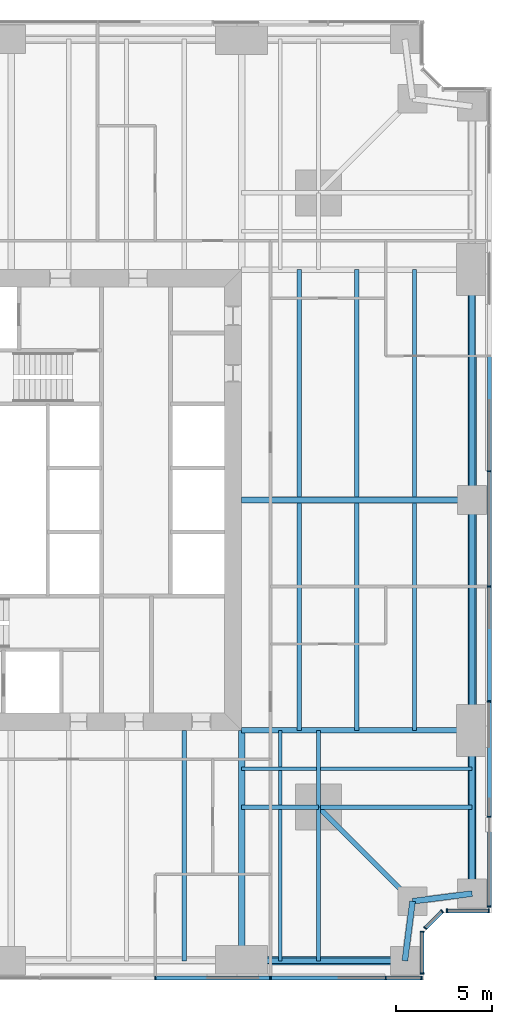
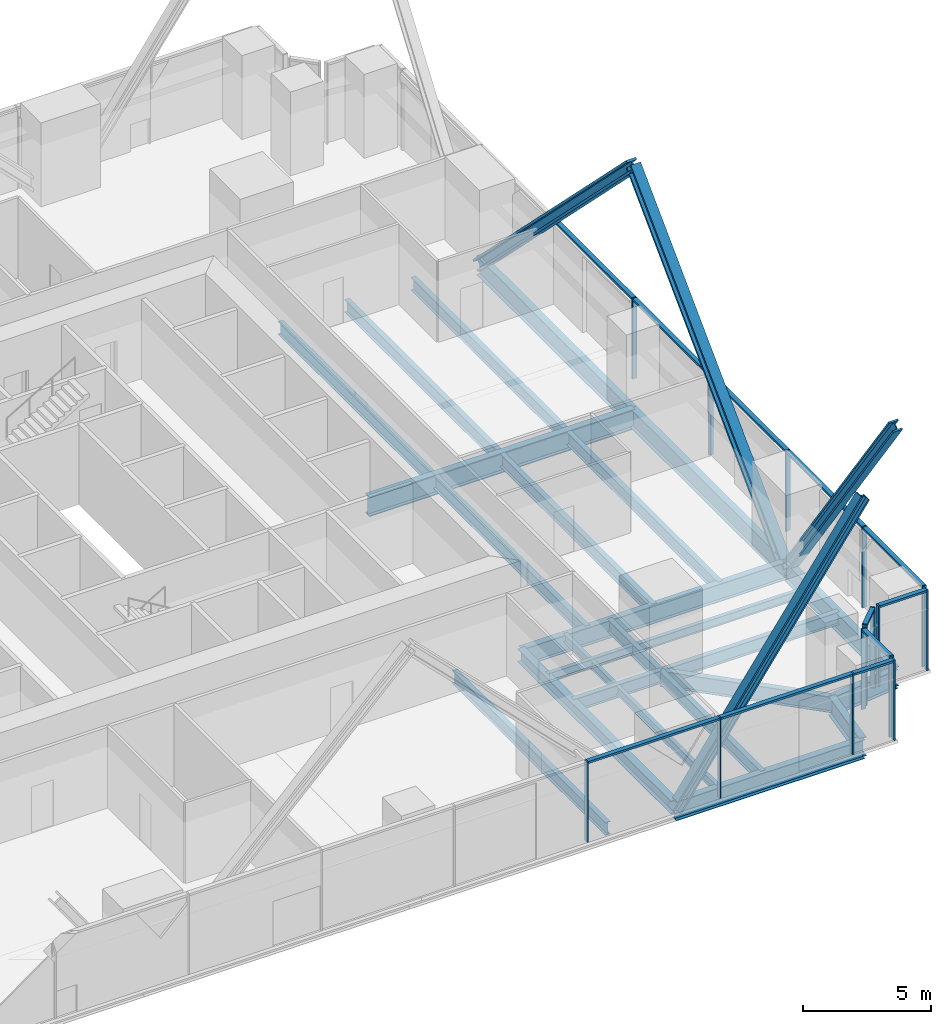
# One storey, part 5 of 13: 30 members, 26 beams, 5 elements without a shape of their own.
"""IFC4 building model written with IfcOpenShell, lengths in metres."""

from ifc_helpers import new_model, si_unit, direction, frame, origin, origin_2d, place, context, subcontext, project, spatial, rectangle, i_section, extrude, material, material_profile, profile_set, type_object, element, aggregate, save


model = new_model("IFC4")

# Units and contexts
model_context = context("Model", 3, precision=1e-05, world=origin(), true_north=direction((0.0, 1.0)))
body_context = subcontext(model_context, "Body", "Model", "MODEL_VIEW")
ifc_project = project(units=[si_unit("LENGTHUNIT", "METRE"), si_unit("AREAUNIT", "SQUARE_METRE"), si_unit("VOLUMEUNIT", "CUBIC_METRE"), si_unit("PLANEANGLEUNIT", "RADIAN"), si_unit("MASSUNIT", "GRAM", prefix="KILO")], contexts=[model_context])

# Site, building, storey
site_placement = place(None, origin())
site = spatial("IfcSite", under=ifc_project, at=site_placement, CompositionType="ELEMENT")
building_placement = place(site_placement, origin())
building = spatial("IfcBuilding", under=site, at=building_placement, Name="Fenwick Lantern Interchange", CompositionType="ELEMENT")
storey_placement = place(building_placement, frame((0.0, 0.0, 55.0)))
storey = spatial("IfcBuildingStorey", under=building, at=storey_placement, Name="L12", CompositionType="ELEMENT", Elevation=55.0)

# Beams
ifc_material_1 = material(Name="Steel ASTM A992 Grade 50", Category="steel")
ifc_material_profile_1 = material_profile(ifc_material_1, i_section(OverallWidth=0.3046875, OverallDepth=0.911865234375, WebThickness=0.015869140625, FlangeThickness=0.02392578125, at=origin_2d()), Name="W36X150")
ifc_profile_set_1 = profile_set([ifc_material_profile_1], Name="Steel ASTM A992 Grade 50")
beam_type_1 = type_object("IfcBeamType", Name="EDGE BEAM W36X150", PredefinedType="SPANDREL", material=ifc_profile_set_1)
beam_1_placement = place(storey_placement, frame((37.0, 1.0, -0.60595703125), z_axis=(1.0, 0.0, 0.0), x_axis=(0.0, 1.0, 0.0)))
element("IfcBeam", 1, at=beam_1_placement, inside=storey, type_object=beam_type_1, Name="L12/FR/S/EB4", PredefinedType="SPANDREL", context=body_context, shape_type="SweptSolid", body=[
    extrude(i_section(OverallWidth=0.3046875, OverallDepth=0.911865234375, WebThickness=0.015869140625, FlangeThickness=0.02392578125, at=origin_2d()), origin(), (0.0, 0.0, 1.0), 8.5),
])
for number, where, z_axis, x_axis, name in (
    (2, (45.5, 1.0, -0.60595703125), (0.127936641807, 0.991782342897, 0.0), (-0.991782342897, 0.127936641807, 0.0), "L12/FR/S/EBR1"),
    (3, (45.89990234375, 4.10009765625, -0.60595703125), (0.991782342897, 0.127936641807, 0.0), (-0.127936641807, 0.991782342897, 0.0), "L12/FR/S/EBR2"),
):
    element("IfcBeam", number, at=place(storey_placement, frame(where, z_axis=z_axis, x_axis=x_axis)), inside=storey, type_object=beam_type_1, Name=name, PredefinedType="SPANDREL", context=body_context, shape_type="SweptSolid", body=[
        extrude(i_section(OverallWidth=0.3046875, OverallDepth=0.911865234375, WebThickness=0.015869140625, FlangeThickness=0.02392578125, at=origin_2d()), origin(), (0.0, 0.0, 1.0), 3.125732421875),
    ])
beam_2_placement = place(storey_placement, frame((49.0, 4.5, -0.60595703125), z_axis=(0.0, 1.0, 0.0), x_axis=(-1.0, 0.0, 0.0)))
element("IfcBeam", 4, at=beam_2_placement, inside=storey, type_object=beam_type_1, Name="L12/FR/E/EB1", PredefinedType="SPANDREL", context=body_context, shape_type="SweptSolid", body=[
    extrude(i_section(OverallWidth=0.3046875, OverallDepth=0.911865234375, WebThickness=0.015869140625, FlangeThickness=0.02392578125, at=origin_2d()), origin(), (0.0, 0.0, 1.0), 8.5),
])
for number, where, z_axis, x_axis, name in (
    (5, (49.0, 13.0, -0.60595703125), (0.0, 1.0, 0.0), (-1.0, 0.0, 0.0), "L12/FR/E/EB2"),
    (6, (49.0, 25.0, -0.60595703125), (0.0, 1.0, 0.0), (-1.0, 0.0, 0.0), "L12/FR/E/EB3"),
):
    element("IfcBeam", number, at=place(storey_placement, frame(where, z_axis=z_axis, x_axis=x_axis)), inside=storey, type_object=beam_type_1, Name=name, PredefinedType="SPANDREL", context=body_context, shape_type="SweptSolid", body=[
        extrude(i_section(OverallWidth=0.3046875, OverallDepth=0.911865234375, WebThickness=0.015869140625, FlangeThickness=0.02392578125, at=origin_2d()), origin(), (0.0, 0.0, 1.0), 12.0),
    ])

# Members
ifc_material_profile_2 = material_profile(ifc_material_1, i_section(OverallWidth=0.424072265625, OverallDepth=0.47509765625, WebThickness=0.0478515625, FlangeThickness=0.0771484375, at=origin_2d()), Name="W14X426")
ifc_profile_set_2 = profile_set([ifc_material_profile_2], Name="Steel ASTM A992 Grade 50")
member_type_1 = type_object("IfcMemberType", Name="FACADE BRACE W14X426", PredefinedType="BRACE", material=ifc_profile_set_2)
for number, where, z_axis, x_axis, name in (
    (7, (37.0, 1.0, -0.60595703125), (0.57801734078, 0.0, 0.816024481102), (0.0, 1.0, 0.0), "L12/FB/S/BE"),
    (8, (49.0, 13.0, -0.60595703125), (0.0, -0.57801734078, 0.816024481102), (1.0, 0.0, 0.0), "L12/FB/E/AE"),
):
    element("IfcMember", number, at=place(storey_placement, frame(where, z_axis=z_axis, x_axis=x_axis)), inside=storey, type_object=member_type_1, Name=name, PredefinedType="BRACE", context=body_context, shape_type="SweptSolid", body=[
        extrude(i_section(OverallWidth=0.424072265625, OverallDepth=0.47509765625, WebThickness=0.0478515625, FlangeThickness=0.0771484375, at=origin_2d()), origin(), (0.0, 0.0, 1.0), 14.705322265625),
    ])
ifc_material_profile_3 = material_profile(ifc_material_1, i_section(OverallWidth=0.44189453125, OverallDepth=0.53076171875, WebThickness=0.06591796875, FlangeThickness=0.105712890625, at=origin_2d()), Name="W14X605")
ifc_profile_set_3 = profile_set([ifc_material_profile_3], Name="Steel ASTM A992 Grade 50")
member_type_2 = type_object("IfcMemberType", Name="FACADE BRACE W14X605", PredefinedType="BRACE", material=ifc_profile_set_3)
for number, where, z_axis, x_axis, name in (
    (9, (49.0, 13.0, -0.60595703125), (0.0, 0.707106781187, 0.707106781187), (-1.0, 0.0, 0.0), "L12/FB/E/A"),
    (10, (49.0, 37.0, -0.60595703125), (0.0, -0.707106781187, 0.707106781187), (1.0, 0.0, 0.0), "L12/FB/E/B"),
):
    element("IfcMember", number, at=place(storey_placement, frame(where, z_axis=z_axis, x_axis=x_axis)), inside=storey, type_object=member_type_2, Name=name, PredefinedType="BRACE", context=body_context, shape_type="SweptSolid", body=[
        extrude(i_section(OverallWidth=0.44189453125, OverallDepth=0.53076171875, WebThickness=0.06591796875, FlangeThickness=0.105712890625, at=origin_2d()), origin(), (0.0, 0.0, 1.0), 16.970458984375),
    ])

# Beams
ifc_material_profile_4 = material_profile(ifc_material_1, i_section(OverallWidth=0.22900390625, OverallDepth=0.612060546875, WebThickness=0.011962890625, FlangeThickness=0.01953125, at=origin_2d()), Name="W24X84")
ifc_profile_set_4 = profile_set([ifc_material_profile_4], Name="Steel ASTM A992 Grade 50")
beam_type_2 = type_object("IfcBeamType", Name="FLOOR BEAM W24X84", PredefinedType="BEAM", material=ifc_profile_set_4)
beam_3_placement = place(storey_placement, frame((34.0, 1.0, -0.4560546875), z_axis=(0.0, 1.0, 0.0), x_axis=(-1.0, 0.0, 0.0)))
element("IfcBeam", 11, at=beam_3_placement, inside=storey, type_object=beam_type_2, Name="L12/FR/S/R08", PredefinedType="BEAM", context=body_context, shape_type="SweptSolid", body=[
    extrude(i_section(OverallWidth=0.22900390625, OverallDepth=0.612060546875, WebThickness=0.011962890625, FlangeThickness=0.01953125, at=origin_2d()), origin(), (0.0, 0.0, 1.0), 12.0),
])
for number, where, z_axis, x_axis, name in (
    (12, (46.0, 13.0, -0.4560546875), (0.0, 1.0, 0.0), (-1.0, 0.0, 0.0), "L12/FR/E/B01"),
    (13, (43.0, 13.0, -0.4560546875), (0.0, 1.0, 0.0), (-1.0, 0.0, 0.0), "L12/FR/E/B02"),
    (14, (40.0, 13.0, -0.4560546875), (0.0, 1.0, 0.0), (-1.0, 0.0, 0.0), "L12/FR/E/B03"),
    (15, (46.0, 25.155029296875, -0.4560546875), (0.0, 1.0, 0.0), (-1.0, 0.0, 0.0), "L12/FR/E/B04"),
    (16, (43.0, 25.155029296875, -0.4560546875), (0.0, 1.0, 0.0), (-1.0, 0.0, 0.0), "L12/FR/E/B05"),
    (17, (40.0, 25.155029296875, -0.4560546875), (0.0, 1.0, 0.0), (-1.0, 0.0, 0.0), "L12/FR/E/B06"),
):
    element("IfcBeam", number, at=place(storey_placement, frame(where, z_axis=z_axis, x_axis=x_axis)), inside=storey, type_object=beam_type_2, Name=name, PredefinedType="BEAM", context=body_context, shape_type="SweptSolid", body=[
        extrude(i_section(OverallWidth=0.22900390625, OverallDepth=0.612060546875, WebThickness=0.011962890625, FlangeThickness=0.01953125, at=origin_2d()), origin(), (0.0, 0.0, 1.0), 11.844970703125),
    ])
ifc_material_profile_5 = material_profile(ifc_material_1, i_section(OverallWidth=0.177734375, OverallDepth=0.406494140625, WebThickness=0.0078125, FlangeThickness=0.012939453125, at=origin_2d()), Name="W16X40")
ifc_profile_set_5 = profile_set([ifc_material_profile_5], Name="Steel ASTM A992 Grade 50")
beam_type_3 = type_object("IfcBeamType", Name="INFILL BEAM W16X40", PredefinedType="JOIST", material=ifc_profile_set_5)
beam_4_placement = place(storey_placement, frame((49.0, 11.0, -0.353271484375), z_axis=(-1.0, 0.0, 0.0), x_axis=(0.0, -1.0, 0.0)))
element("IfcBeam", 18, at=beam_4_placement, inside=storey, type_object=beam_type_3, Name="L12/FR/E/J1", PredefinedType="JOIST", context=body_context, shape_type="SweptSolid", body=[
    extrude(i_section(OverallWidth=0.177734375, OverallDepth=0.406494140625, WebThickness=0.0078125, FlangeThickness=0.012939453125, at=origin_2d()), origin(), (0.0, 0.0, 1.0), 7.885498046875),
])
beam_5_placement = place(storey_placement, frame((40.885498046875, 11.0, -0.353271484375), z_axis=(-1.0, 0.0, 0.0), x_axis=(0.0, -1.0, 0.0)))
element("IfcBeam", 19, at=beam_5_placement, inside=storey, type_object=beam_type_3, Name="L12/FR/E/J2", PredefinedType="JOIST", context=body_context, shape_type="SweptSolid", body=[
    extrude(i_section(OverallWidth=0.177734375, OverallDepth=0.406494140625, WebThickness=0.0078125, FlangeThickness=0.012939453125, at=origin_2d()), origin(), (0.0, 0.0, 1.0), 3.885498046875),
])
beam_6_placement = place(storey_placement, frame((39.0, 1.0, -0.353271484375), z_axis=(0.0, 1.0, 0.0), x_axis=(-1.0, 0.0, 0.0)))
element("IfcBeam", 20, at=beam_6_placement, inside=storey, type_object=beam_type_3, Name="L12/FR/E/J3", PredefinedType="JOIST", context=body_context, shape_type="SweptSolid", body=[
    extrude(i_section(OverallWidth=0.177734375, OverallDepth=0.406494140625, WebThickness=0.0078125, FlangeThickness=0.012939453125, at=origin_2d()), origin(), (0.0, 0.0, 1.0), 7.885498046875),
])
beam_7_placement = place(storey_placement, frame((39.0, 9.114501953125, -0.353271484375), z_axis=(0.0, 1.0, 0.0), x_axis=(-1.0, 0.0, 0.0)))
element("IfcBeam", 21, at=beam_7_placement, inside=storey, type_object=beam_type_3, Name="L12/FR/E/J4", PredefinedType="JOIST", context=body_context, shape_type="SweptSolid", body=[
    extrude(i_section(OverallWidth=0.177734375, OverallDepth=0.406494140625, WebThickness=0.0078125, FlangeThickness=0.012939453125, at=origin_2d()), origin(), (0.0, 0.0, 1.0), 1.796630859375),
])
beam_8_placement = place(storey_placement, frame((39.0, 11.0888671875, -0.353271484375), z_axis=(0.0, 1.0, 0.0), x_axis=(-1.0, 0.0, 0.0)))
element("IfcBeam", 22, at=beam_8_placement, inside=storey, type_object=beam_type_3, Name="L12/FR/E/J5", PredefinedType="JOIST", context=body_context, shape_type="SweptSolid", body=[
    extrude(i_section(OverallWidth=0.177734375, OverallDepth=0.406494140625, WebThickness=0.0078125, FlangeThickness=0.012939453125, at=origin_2d()), origin(), (0.0, 0.0, 1.0), 1.9111328125),
])
ifc_material_profile_6 = material_profile(ifc_material_1, i_section(OverallWidth=0.22900390625, OverallDepth=0.612060546875, WebThickness=0.011962890625, FlangeThickness=0.01953125, at=origin_2d()), Name="W24X84")
ifc_profile_set_6 = profile_set([ifc_material_profile_6], Name="Steel ASTM A992 Grade 50")
beam_type_4 = type_object("IfcBeamType", Name="MEGA COLUMN BEAM W24X84", PredefinedType="BEAM", material=ifc_profile_set_6)
for number, where, z_axis, x_axis, name in (
    (23, (41.0, 9.0, -0.4560546875), (1.0, 0.0, 0.0), (0.0, 1.0, 0.0), "L12/FR/E/MB1"),
    (24, (41.0, 9.0, -0.4560546875), (0.0, -1.0, 0.0), (1.0, 0.0, 0.0), "L12/FR/E/MB2"),
):
    element("IfcBeam", number, at=place(storey_placement, frame(where, z_axis=z_axis, x_axis=x_axis)), inside=storey, type_object=beam_type_4, Name=name, PredefinedType="BEAM", context=body_context, shape_type="SweptSolid", body=[
        extrude(i_section(OverallWidth=0.22900390625, OverallDepth=0.612060546875, WebThickness=0.011962890625, FlangeThickness=0.01953125, at=origin_2d()), origin(), (0.0, 0.0, 1.0), 8.0),
    ])
for number, where, z_axis, x_axis, name in (
    (25, (41.0, 9.0, -0.4560546875), (0.0, 1.0, 0.0), (-1.0, 0.0, 0.0), "L12/FR/E/MB3"),
    (26, (41.0, 9.0, -0.4560546875), (-1.0, 0.0, 0.0), (0.0, -1.0, 0.0), "L12/FR/E/MB4"),
):
    element("IfcBeam", number, at=place(storey_placement, frame(where, z_axis=z_axis, x_axis=x_axis)), inside=storey, type_object=beam_type_4, Name=name, PredefinedType="BEAM", context=body_context, shape_type="SweptSolid", body=[
        extrude(i_section(OverallWidth=0.22900390625, OverallDepth=0.612060546875, WebThickness=0.011962890625, FlangeThickness=0.01953125, at=origin_2d()), origin(), (0.0, 0.0, 1.0), 4.0),
    ])
ifc_material_profile_7 = material_profile(ifc_material_1, i_section(OverallWidth=0.32763671875, OverallDepth=0.622314453125, WebThickness=0.015380859375, FlangeThickness=0.0244140625, at=origin_2d()), Name="W24X131")
ifc_profile_set_7 = profile_set([ifc_material_profile_7], Name="Steel ASTM A992 Grade 50")
beam_type_5 = type_object("IfcBeamType", Name="MOMENT-CONNECTED GIRDER W24X131", PredefinedType="BEAM", material=ifc_profile_set_7)
beam_9_placement = place(storey_placement, frame((37.0, 1.0, -0.461181640625), z_axis=(0.0, 1.0, 0.0), x_axis=(-1.0, 0.0, 0.0)))
element("IfcBeam", 27, at=beam_9_placement, inside=storey, type_object=beam_type_5, Name="L12/FR/S/R09", PredefinedType="BEAM", context=body_context, shape_type="SweptSolid", body=[
    extrude(i_section(OverallWidth=0.32763671875, OverallDepth=0.622314453125, WebThickness=0.015380859375, FlangeThickness=0.0244140625, at=origin_2d()), origin(), (0.0, 0.0, 1.0), 12.0),
])
ifc_material_profile_8 = material_profile(ifc_material_1, i_section(OverallWidth=0.2919921875, OverallDepth=0.845703125, WebThickness=0.015380859375, FlangeThickness=0.0244140625, at=origin_2d()), Name="W33X141")
ifc_profile_set_8 = profile_set([ifc_material_profile_8], Name="Steel ASTM A992 Grade 50")
beam_type_6 = type_object("IfcBeamType", Name="MOMENT-CONNECTED GIRDER W33X141", PredefinedType="BEAM", material=ifc_profile_set_8)
beam_10_placement = place(storey_placement, frame((49.0, 13.0, -0.572998046875), z_axis=(-1.0, 0.0, 0.0), x_axis=(0.0, -1.0, 0.0)))
element("IfcBeam", 28, at=beam_10_placement, inside=storey, type_object=beam_type_6, Name="L12/FR/E/R01", PredefinedType="BEAM", context=body_context, shape_type="SweptSolid", body=[
    extrude(i_section(OverallWidth=0.2919921875, OverallDepth=0.845703125, WebThickness=0.015380859375, FlangeThickness=0.0244140625, at=origin_2d()), origin(), (0.0, 0.0, 1.0), 12.0),
])
ifc_material_profile_9 = material_profile(ifc_material_1, i_section(OverallWidth=0.309814453125, OverallDepth=0.949951171875, WebThickness=0.0244140625, FlangeThickness=0.0439453125, at=origin_2d()), Name="W36X256")
ifc_profile_set_9 = profile_set([ifc_material_profile_9], Name="Steel ASTM A992 Grade 50")
beam_type_7 = type_object("IfcBeamType", Name="MOMENT-CONNECTED GIRDER W36X256", PredefinedType="BEAM", material=ifc_profile_set_9)
beam_11_placement = place(storey_placement, frame((49.0, 25.0, -0.625), z_axis=(-1.0, 0.0, 0.0), x_axis=(0.0, -1.0, 0.0)))
element("IfcBeam", 29, at=beam_11_placement, inside=storey, type_object=beam_type_7, Name="L12/FR/E/R02", PredefinedType="BEAM", context=body_context, shape_type="SweptSolid", body=[
    extrude(i_section(OverallWidth=0.309814453125, OverallDepth=0.949951171875, WebThickness=0.0244140625, FlangeThickness=0.0439453125, at=origin_2d()), origin(), (0.0, 0.0, 1.0), 12.0),
])
ifc_material_profile_10 = material_profile(ifc_material_1, i_section(OverallWidth=0.2666015625, OverallDepth=0.7568359375, WebThickness=0.013916015625, FlangeThickness=0.019287109375, at=origin_2d()), Name="W30X108")
ifc_profile_set_10 = profile_set([ifc_material_profile_10], Name="Steel ASTM A992 Grade 50")
beam_type_8 = type_object("IfcBeamType", Name="NOTCH BEAM W30X108", PredefinedType="BEAM", material=ifc_profile_set_10)
beam_12_placement = place(storey_placement, frame((41.0, 9.0, -0.528564453125), z_axis=(0.707106781187, -0.707106781187, 0.0), x_axis=(0.707106781187, 0.707106781187, 0.0)))
element("IfcBeam", 30, at=beam_12_placement, inside=storey, type_object=beam_type_8, Name="L12/FR/E/TG", PredefinedType="BEAM", context=body_context, shape_type="SweptSolid", body=[
    extrude(i_section(OverallWidth=0.2666015625, OverallDepth=0.7568359375, WebThickness=0.013916015625, FlangeThickness=0.019287109375, at=origin_2d()), origin(), (0.0, 0.0, 1.0), 6.929443359375),
])

# Curtain wall, members
ifc_material_2 = material(Name="Aluminium curtain wall frame", Category="aluminium")
curtain_wall_type = type_object("IfcCurtainWallType", Name="OFFICE CURTAIN WALL", PredefinedType="USERDEFINED", material=ifc_material_2)
curtain_wall_1_placement = place(storey_placement, origin())
curtain_wall_1 = element("IfcCurtainWall", 31, at=curtain_wall_1_placement, inside=storey, type_object=curtain_wall_type, Name="Office curtain wall 01", ObjectType="OFFICE CURTAIN WALL", PredefinedType="USERDEFINED")
ifc_material_3 = material(Name="Aluminium extrusion", Category="aluminium")
ifc_material_profile_11 = material_profile(ifc_material_3, rectangle(XDim=0.199951171875, YDim=0.06494140625, at=origin_2d()), Name="OFFICE CURTAIN WALL MULLION 65 X 200")
ifc_profile_set_11 = profile_set([ifc_material_profile_11], Name="Aluminium extrusion")
member_type_3 = type_object("IfcMemberType", Name="OFFICE CURTAIN WALL MULLION 65 X 200", PredefinedType="MULLION", material=ifc_profile_set_11)
member_1_placement = place(storey_placement, frame((32.5, 0.10009765625, 0.0), z_axis=(0.0, 0.0, 1.0), x_axis=(0.0, 1.0, 0.0)))
member_1 = element("IfcMember", 32, at=member_1_placement, type_object=member_type_3, Name="L12/CW/01/M05", PredefinedType="MULLION", context=body_context, shape_type="SweptSolid", body=[
    extrude(rectangle(XDim=0.199951171875, YDim=0.06494140625, at=origin_2d()), origin(), (0.0, 0.0, 1.0), 3.85009765625),
])
member_2_placement = place(storey_placement, frame((38.5, 0.10009765625, 0.0), z_axis=(0.0, 0.0, 1.0), x_axis=(0.0, 1.0, 0.0)))
member_2 = element("IfcMember", 33, at=member_2_placement, type_object=member_type_3, Name="L12/CW/01/M06", PredefinedType="MULLION", context=body_context, shape_type="SweptSolid", body=[
    extrude(rectangle(XDim=0.199951171875, YDim=0.06494140625, at=origin_2d()), origin(), (0.0, 0.0, 1.0), 3.85009765625),
])
member_3_placement = place(storey_placement, frame((44.5, 0.10009765625, 0.0), z_axis=(0.0, 0.0, 1.0), x_axis=(0.0, 1.0, 0.0)))
member_3 = element("IfcMember", 34, at=member_3_placement, type_object=member_type_3, Name="L12/CW/01/M07", PredefinedType="MULLION", context=body_context, shape_type="SweptSolid", body=[
    extrude(rectangle(XDim=0.199951171875, YDim=0.06494140625, at=origin_2d()), origin(), (0.0, 0.0, 1.0), 3.85009765625),
])
member_4_placement = place(storey_placement, frame((46.367431640625, 0.10009765625, 0.0), z_axis=(0.0, 0.0, 1.0), x_axis=(0.0, 1.0, 0.0)))
member_4 = element("IfcMember", 35, at=member_4_placement, type_object=member_type_3, Name="L12/CW/01/M08", PredefinedType="MULLION", context=body_context, shape_type="SweptSolid", body=[
    extrude(rectangle(XDim=0.199951171875, YDim=0.06494140625, at=origin_2d()), origin(), (0.0, 0.0, 1.0), 3.85009765625),
])

curtain_wall_2_placement = place(storey_placement, origin())
curtain_wall_2 = element("IfcCurtainWall", 36, at=curtain_wall_2_placement, inside=storey, type_object=curtain_wall_type, Name="Office curtain wall 02", ObjectType="OFFICE CURTAIN WALL", PredefinedType="USERDEFINED")
member_5_placement = place(storey_placement, frame((46.39990234375, 0.33251953125, 0.0), z_axis=(0.0, 0.0, 1.0), x_axis=(-1.0, 0.0, 0.0)))
member_5 = element("IfcMember", 37, at=member_5_placement, type_object=member_type_3, Name="L12/CW/02/M00", PredefinedType="MULLION", context=body_context, shape_type="SweptSolid", body=[
    extrude(rectangle(XDim=0.199951171875, YDim=0.06494140625, at=origin_2d()), origin(), (0.0, 0.0, 1.0), 3.85009765625),
])
member_6_placement = place(storey_placement, frame((46.39990234375, 2.509033203125, 0.0), z_axis=(0.0, 0.0, 1.0), x_axis=(-1.0, 0.0, 0.0)))
member_6 = element("IfcMember", 38, at=member_6_placement, type_object=member_type_3, Name="L12/CW/02/M01", PredefinedType="MULLION", context=body_context, shape_type="SweptSolid", body=[
    extrude(rectangle(XDim=0.199951171875, YDim=0.06494140625, at=origin_2d()), origin(), (0.0, 0.0, 1.0), 3.85009765625),
])

curtain_wall_3_placement = place(storey_placement, origin())
curtain_wall_3 = element("IfcCurtainWall", 39, at=curtain_wall_3_placement, inside=storey, type_object=curtain_wall_type, Name="Office curtain wall 03", ObjectType="OFFICE CURTAIN WALL", PredefinedType="USERDEFINED")
member_7_placement = place(storey_placement, frame((46.564453125, 2.705810546875, 0.0), z_axis=(0.0, 0.0, 1.0), x_axis=(-0.707106781187, 0.707106781187, 0.0)))
member_7 = element("IfcMember", 40, at=member_7_placement, type_object=member_type_3, Name="L12/CW/03/M00", PredefinedType="MULLION", context=body_context, shape_type="SweptSolid", body=[
    extrude(rectangle(XDim=0.199951171875, YDim=0.06494140625, at=origin_2d()), origin(), (0.0, 0.0, 1.0), 3.85009765625),
])
member_8_placement = place(storey_placement, frame((47.435546875, 3.576904296875, 0.0), z_axis=(0.0, 0.0, 1.0), x_axis=(-0.707106781187, 0.707106781187, 0.0)))
member_8 = element("IfcMember", 41, at=member_8_placement, type_object=member_type_3, Name="L12/CW/03/M01", PredefinedType="MULLION", context=body_context, shape_type="SweptSolid", body=[
    extrude(rectangle(XDim=0.199951171875, YDim=0.06494140625, at=origin_2d()), origin(), (0.0, 0.0, 1.0), 3.85009765625),
])

curtain_wall_4_placement = place(storey_placement, origin())
curtain_wall_4 = element("IfcCurtainWall", 42, at=curtain_wall_4_placement, inside=storey, type_object=curtain_wall_type, Name="Office curtain wall 04", ObjectType="OFFICE CURTAIN WALL", PredefinedType="USERDEFINED")
member_9_placement = place(storey_placement, frame((47.691162109375, 3.60009765625, 0.0), z_axis=(0.0, 0.0, 1.0), x_axis=(0.0, 1.0, 0.0)))
member_9 = element("IfcMember", 43, at=member_9_placement, type_object=member_type_3, Name="L12/CW/04/M00", PredefinedType="MULLION", context=body_context, shape_type="SweptSolid", body=[
    extrude(rectangle(XDim=0.199951171875, YDim=0.06494140625, at=origin_2d()), origin(), (0.0, 0.0, 1.0), 3.85009765625),
])
member_10_placement = place(storey_placement, frame((49.867431640625, 3.60009765625, 0.0), z_axis=(0.0, 0.0, 1.0), x_axis=(0.0, 1.0, 0.0)))
member_10 = element("IfcMember", 44, at=member_10_placement, type_object=member_type_3, Name="L12/CW/04/M01", PredefinedType="MULLION", context=body_context, shape_type="SweptSolid", body=[
    extrude(rectangle(XDim=0.199951171875, YDim=0.06494140625, at=origin_2d()), origin(), (0.0, 0.0, 1.0), 3.85009765625),
])

curtain_wall_5_placement = place(storey_placement, origin())
curtain_wall_5 = element("IfcCurtainWall", 45, at=curtain_wall_5_placement, inside=storey, type_object=curtain_wall_type, Name="Office curtain wall 05", ObjectType="OFFICE CURTAIN WALL", PredefinedType="USERDEFINED")
member_11_placement = place(storey_placement, frame((49.89990234375, 3.83251953125, 0.0), z_axis=(0.0, 0.0, 1.0), x_axis=(-1.0, 0.0, 0.0)))
member_11 = element("IfcMember", 46, at=member_11_placement, type_object=member_type_3, Name="L12/CW/05/M00", PredefinedType="MULLION", context=body_context, shape_type="SweptSolid", body=[
    extrude(rectangle(XDim=0.199951171875, YDim=0.06494140625, at=origin_2d()), origin(), (0.0, 0.0, 1.0), 3.85009765625),
])
member_12_placement = place(storey_placement, frame((49.89990234375, 8.5, 0.0), z_axis=(0.0, 0.0, 1.0), x_axis=(-1.0, 0.0, 0.0)))
member_12 = element("IfcMember", 47, at=member_12_placement, type_object=member_type_3, Name="L12/CW/05/M01", PredefinedType="MULLION", context=body_context, shape_type="SweptSolid", body=[
    extrude(rectangle(XDim=0.199951171875, YDim=0.06494140625, at=origin_2d()), origin(), (0.0, 0.0, 1.0), 3.85009765625),
])
member_13_placement = place(storey_placement, frame((49.89990234375, 14.5, 0.0), z_axis=(0.0, 0.0, 1.0), x_axis=(-1.0, 0.0, 0.0)))
member_13 = element("IfcMember", 48, at=member_13_placement, type_object=member_type_3, Name="L12/CW/05/M02", PredefinedType="MULLION", context=body_context, shape_type="SweptSolid", body=[
    extrude(rectangle(XDim=0.199951171875, YDim=0.06494140625, at=origin_2d()), origin(), (0.0, 0.0, 1.0), 3.85009765625),
])
member_14_placement = place(storey_placement, frame((49.89990234375, 20.5, 0.0), z_axis=(0.0, 0.0, 1.0), x_axis=(-1.0, 0.0, 0.0)))
member_14 = element("IfcMember", 49, at=member_14_placement, type_object=member_type_3, Name="L12/CW/05/M03", PredefinedType="MULLION", context=body_context, shape_type="SweptSolid", body=[
    extrude(rectangle(XDim=0.199951171875, YDim=0.06494140625, at=origin_2d()), origin(), (0.0, 0.0, 1.0), 3.85009765625),
])
member_15_placement = place(storey_placement, frame((49.89990234375, 26.5, 0.0), z_axis=(0.0, 0.0, 1.0), x_axis=(-1.0, 0.0, 0.0)))
member_15 = element("IfcMember", 50, at=member_15_placement, type_object=member_type_3, Name="L12/CW/05/M04", PredefinedType="MULLION", context=body_context, shape_type="SweptSolid", body=[
    extrude(rectangle(XDim=0.199951171875, YDim=0.06494140625, at=origin_2d()), origin(), (0.0, 0.0, 1.0), 3.85009765625),
])

# Member
ifc_material_profile_12 = material_profile(ifc_material_3, rectangle(XDim=0.199951171875, YDim=0.10009765625, at=origin_2d()), Name="OFFICE CURTAIN WALL TRANSOM 100 X 200")
ifc_profile_set_12 = profile_set([ifc_material_profile_12], Name="Aluminium extrusion")
member_type_4 = type_object("IfcMemberType", Name="OFFICE CURTAIN WALL TRANSOM 100 X 200", PredefinedType="MULLION", material=ifc_profile_set_12)
member_16_placement = place(storey_placement, frame((32.532470703125, 0.10009765625, 3.800048828125), z_axis=(1.0, 0.0, 0.0), x_axis=(0.0, 1.0, 0.0)))
member_16 = element("IfcMember", 51, at=member_16_placement, type_object=member_type_4, Name="L12/CW/01/T05", PredefinedType="MULLION", context=body_context, shape_type="SweptSolid", body=[
    extrude(rectangle(XDim=0.199951171875, YDim=0.10009765625, at=origin_2d()), origin(), (0.0, 0.0, 1.0), 5.93505859375),
])

member_17_placement = place(storey_placement, frame((38.532470703125, 0.10009765625, 3.800048828125), z_axis=(1.0, 0.0, 0.0), x_axis=(0.0, 1.0, 0.0)))
member_17 = element("IfcMember", 52, at=member_17_placement, type_object=member_type_4, Name="L12/CW/01/T06", PredefinedType="MULLION", context=body_context, shape_type="SweptSolid", body=[
    extrude(rectangle(XDim=0.199951171875, YDim=0.10009765625, at=origin_2d()), origin(), (0.0, 0.0, 1.0), 5.93505859375),
])

member_18_placement = place(storey_placement, frame((44.532470703125, 0.10009765625, 3.800048828125), z_axis=(1.0, 0.0, 0.0), x_axis=(0.0, 1.0, 0.0)))
member_18 = element("IfcMember", 53, at=member_18_placement, type_object=member_type_4, Name="L12/CW/01/T07", PredefinedType="MULLION", context=body_context, shape_type="SweptSolid", body=[
    extrude(rectangle(XDim=0.199951171875, YDim=0.10009765625, at=origin_2d()), origin(), (0.0, 0.0, 1.0), 1.802490234375),
])

aggregate(curtain_wall_1, [member_1, member_2, member_3, member_4, member_16, member_17, member_18])

member_19_placement = place(storey_placement, frame((46.39990234375, 0.364990234375, 3.800048828125), z_axis=(0.0, 1.0, 0.0), x_axis=(-1.0, 0.0, 0.0)))
member_19 = element("IfcMember", 54, at=member_19_placement, type_object=member_type_4, Name="L12/CW/02/T00", PredefinedType="MULLION", context=body_context, shape_type="SweptSolid", body=[
    extrude(rectangle(XDim=0.199951171875, YDim=0.10009765625, at=origin_2d()), origin(), (0.0, 0.0, 1.0), 2.111328125),
])

aggregate(curtain_wall_2, [member_5, member_6, member_19])

member_20_placement = place(storey_placement, frame((46.58740234375, 2.728759765625, 3.800048828125), z_axis=(0.707106781187, 0.707106781187, 0.0), x_axis=(-0.707106781187, 0.707106781187, 0.0)))
member_20 = element("IfcMember", 55, at=member_20_placement, type_object=member_type_4, Name="L12/CW/03/T00", PredefinedType="MULLION", context=body_context, shape_type="SweptSolid", body=[
    extrude(rectangle(XDim=0.199951171875, YDim=0.10009765625, at=origin_2d()), origin(), (0.0, 0.0, 1.0), 1.1669921875),
])

aggregate(curtain_wall_3, [member_7, member_8, member_20])

member_21_placement = place(storey_placement, frame((47.7236328125, 3.60009765625, 3.800048828125), z_axis=(1.0, 0.0, 0.0), x_axis=(0.0, 1.0, 0.0)))
member_21 = element("IfcMember", 56, at=member_21_placement, type_object=member_type_4, Name="L12/CW/04/T00", PredefinedType="MULLION", context=body_context, shape_type="SweptSolid", body=[
    extrude(rectangle(XDim=0.199951171875, YDim=0.10009765625, at=origin_2d()), origin(), (0.0, 0.0, 1.0), 2.111328125),
])

aggregate(curtain_wall_4, [member_9, member_10, member_21])

member_22_placement = place(storey_placement, frame((49.89990234375, 3.864990234375, 3.800048828125), z_axis=(0.0, 1.0, 0.0), x_axis=(-1.0, 0.0, 0.0)))
member_22 = element("IfcMember", 57, at=member_22_placement, type_object=member_type_4, Name="L12/CW/05/T00", PredefinedType="MULLION", context=body_context, shape_type="SweptSolid", body=[
    extrude(rectangle(XDim=0.199951171875, YDim=0.10009765625, at=origin_2d()), origin(), (0.0, 0.0, 1.0), 4.6025390625),
])

member_23_placement = place(storey_placement, frame((49.89990234375, 8.532470703125, 3.800048828125), z_axis=(0.0, 1.0, 0.0), x_axis=(-1.0, 0.0, 0.0)))
member_23 = element("IfcMember", 58, at=member_23_placement, type_object=member_type_4, Name="L12/CW/05/T01", PredefinedType="MULLION", context=body_context, shape_type="SweptSolid", body=[
    extrude(rectangle(XDim=0.199951171875, YDim=0.10009765625, at=origin_2d()), origin(), (0.0, 0.0, 1.0), 5.93505859375),
])

member_24_placement = place(storey_placement, frame((49.89990234375, 14.532470703125, 3.800048828125), z_axis=(0.0, 1.0, 0.0), x_axis=(-1.0, 0.0, 0.0)))
member_24 = element("IfcMember", 59, at=member_24_placement, type_object=member_type_4, Name="L12/CW/05/T02", PredefinedType="MULLION", context=body_context, shape_type="SweptSolid", body=[
    extrude(rectangle(XDim=0.199951171875, YDim=0.10009765625, at=origin_2d()), origin(), (0.0, 0.0, 1.0), 5.93505859375),
])

member_25_placement = place(storey_placement, frame((49.89990234375, 20.532470703125, 3.800048828125), z_axis=(0.0, 1.0, 0.0), x_axis=(-1.0, 0.0, 0.0)))
member_25 = element("IfcMember", 60, at=member_25_placement, type_object=member_type_4, Name="L12/CW/05/T03", PredefinedType="MULLION", context=body_context, shape_type="SweptSolid", body=[
    extrude(rectangle(XDim=0.199951171875, YDim=0.10009765625, at=origin_2d()), origin(), (0.0, 0.0, 1.0), 5.93505859375),
])

member_26_placement = place(storey_placement, frame((49.89990234375, 26.532470703125, 3.800048828125), z_axis=(0.0, 1.0, 0.0), x_axis=(-1.0, 0.0, 0.0)))
member_26 = element("IfcMember", 61, at=member_26_placement, type_object=member_type_4, Name="L12/CW/05/T04", PredefinedType="MULLION", context=body_context, shape_type="SweptSolid", body=[
    extrude(rectangle(XDim=0.199951171875, YDim=0.10009765625, at=origin_2d()), origin(), (0.0, 0.0, 1.0), 5.93505859375),
])

aggregate(curtain_wall_5, [member_11, member_12, member_13, member_14, member_15, member_22, member_23, member_24, member_25, member_26])

save(model, "model.ifc")
